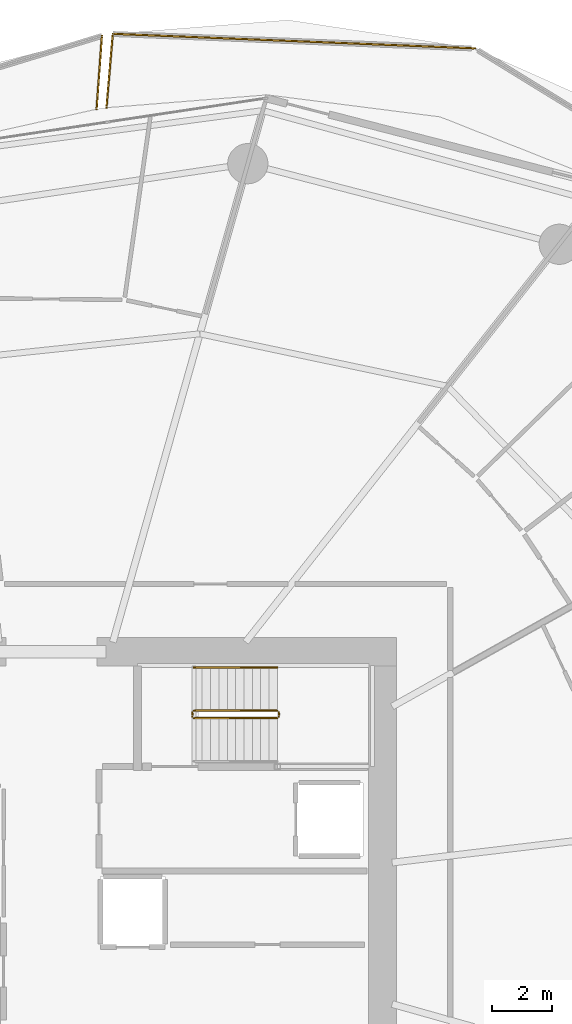
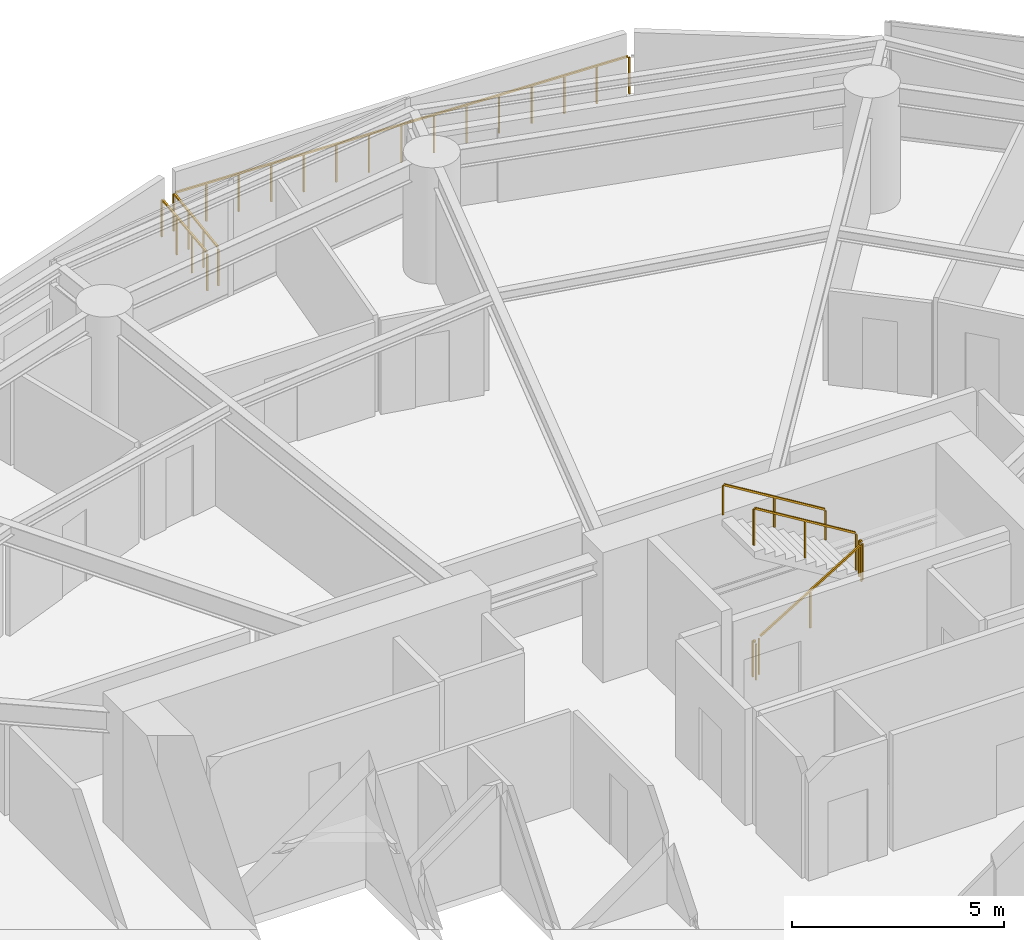
# One storey, part 30 of 31: 8 railings.
"""IFC4 building model written with IfcOpenShell, lengths in metres."""

from ifc_helpers import new_model, si_unit, direction, frame, origin, origin_2d, place, context, subcontext, project, spatial, rectangle, extrude, material, type_object, element, save


model = new_model("IFC4")

# Units and contexts
model_context = context("Model", 3, precision=1e-05, world=origin(), true_north=direction((0.0, 1.0)))
body_context = subcontext(model_context, "Body", "Model", "MODEL_VIEW")
ifc_project = project(units=[si_unit("LENGTHUNIT", "METRE"), si_unit("AREAUNIT", "SQUARE_METRE"), si_unit("VOLUMEUNIT", "CUBIC_METRE"), si_unit("PLANEANGLEUNIT", "RADIAN"), si_unit("MASSUNIT", "GRAM", prefix="KILO")], contexts=[model_context])

# Site, building, storey
site_placement = place(None, origin())
site = spatial("IfcSite", under=ifc_project, at=site_placement, CompositionType="ELEMENT")
building_placement = place(site_placement, origin())
building = spatial("IfcBuilding", under=site, at=building_placement, Name="Kazma Halo Residences", CompositionType="ELEMENT")
storey_placement = place(building_placement, frame((0.0, 0.0, 67.64990234375)))
storey = spatial("IfcBuildingStorey", under=building, at=storey_placement, Name="L16", CompositionType="ELEMENT", Elevation=67.64990234375)

# Railings
ifc_material_1 = material(Name="Aluminium AW-6063 T6 Brushed Cap Rail", Category="aluminium")
railing_type_1 = type_object("IfcRailingType", Name="RLG-BAL-CAP-1120", PredefinedType="BALUSTRADE", material=ifc_material_1)
railing_1_placement = place(storey_placement, frame((62.63232421875, 70.717529296875, 0.0)))
element("IfcRailing", 1, at=railing_1_placement, inside=storey, type_object=railing_type_1, Name="L16 NE wave balcony guard 3", PredefinedType="BALUSTRADE", context=body_context, shape_type="SweptSolid", body=[
    extrude(rectangle(XDim=0.050048828125, YDim=0.050048828125, at=origin_2d()), frame((-0.04248046875, 0.001708984375, 1.09521484375), z_axis=(-0.999194018409, 0.040141170593, 0.0), x_axis=(-0.040141170593, -0.999194018409, 0.0)), (0.0, 0.0, 1.0), 12.0791015625),
    extrude(rectangle(XDim=0.0400390625, YDim=0.0400390625, at=origin_2d()), origin(), (0.0, 0.0, 1.0), 1.05810546875),
    extrude(rectangle(XDim=0.0400390625, YDim=0.0400390625, at=origin_2d()), frame((-0.8681640625, 0.034912109375, 0.0)), (0.0, 0.0, 1.0), 1.05810546875),
    extrude(rectangle(XDim=0.0400390625, YDim=0.0400390625, at=origin_2d()), frame((-1.736328125, 0.06982421875, 0.0)), (0.0, 0.0, 1.0), 1.05810546875),
    extrude(rectangle(XDim=0.0400390625, YDim=0.0400390625, at=origin_2d()), frame((-2.6044921875, 0.104736328125, 0.0)), (0.0, 0.0, 1.0), 1.05810546875),
    extrude(rectangle(XDim=0.0400390625, YDim=0.0400390625, at=origin_2d()), frame((-3.47265625, 0.139404296875, 0.0)), (0.0, 0.0, 1.0), 1.05810546875),
    extrude(rectangle(XDim=0.0400390625, YDim=0.0400390625, at=origin_2d()), frame((-4.3408203125, 0.17431640625, 0.0)), (0.0, 0.0, 1.0), 1.05810546875),
    extrude(rectangle(XDim=0.0400390625, YDim=0.0400390625, at=origin_2d()), frame((-5.208984375, 0.209228515625, 0.0)), (0.0, 0.0, 1.0), 1.05810546875),
    extrude(rectangle(XDim=0.0400390625, YDim=0.0400390625, at=origin_2d()), frame((-6.0771484375, 0.244140625, 0.0)), (0.0, 0.0, 1.0), 1.05810546875),
    extrude(rectangle(XDim=0.0400390625, YDim=0.0400390625, at=origin_2d()), frame((-6.9453125, 0.279052734375, 0.0)), (0.0, 0.0, 1.0), 1.05810546875),
    extrude(rectangle(XDim=0.0400390625, YDim=0.0400390625, at=origin_2d()), frame((-7.8134765625, 0.31396484375, 0.0)), (0.0, 0.0, 1.0), 1.05810546875),
    extrude(rectangle(XDim=0.0400390625, YDim=0.0400390625, at=origin_2d()), frame((-8.681640625, 0.348876953125, 0.0)), (0.0, 0.0, 1.0), 1.05810546875),
    extrude(rectangle(XDim=0.0400390625, YDim=0.0400390625, at=origin_2d()), frame((-9.5498046875, 0.383544921875, 0.0)), (0.0, 0.0, 1.0), 1.05810546875),
    extrude(rectangle(XDim=0.0400390625, YDim=0.0400390625, at=origin_2d()), frame((-10.41796875, 0.41845703125, 0.0)), (0.0, 0.0, 1.0), 1.05810546875),
    extrude(rectangle(XDim=0.0400390625, YDim=0.0400390625, at=origin_2d()), frame((-11.2861328125, 0.453369140625, 0.0)), (0.0, 0.0, 1.0), 1.05810546875),
    extrude(rectangle(XDim=0.0400390625, YDim=0.0400390625, at=origin_2d()), frame((-12.154296875, 0.48828125, 0.0)), (0.0, 0.0, 1.0), 1.05810546875),
])
railing_2_placement = place(storey_placement, frame((50.47802734375, 71.205810546875, 0.0)))
element("IfcRailing", 2, at=railing_2_placement, inside=storey, type_object=railing_type_1, Name="L16 NE wave balcony guard 4", PredefinedType="BALUSTRADE", context=body_context, shape_type="SweptSolid", body=[
    extrude(rectangle(XDim=0.050048828125, YDim=0.050048828125, at=origin_2d()), frame((-0.003662109375, -0.04248046875, 1.09521484375), z_axis=(-0.084492676615, -0.99642410027, 0.0), x_axis=(0.99642410027, -0.084492676615, 0.0)), (0.0, 0.0, 1.0), 2.39990234375),
    extrude(rectangle(XDim=0.0400390625, YDim=0.0400390625, at=origin_2d()), origin(), (0.0, 0.0, 1.0), 1.05810546875),
    extrude(rectangle(XDim=0.0400390625, YDim=0.0400390625, at=origin_2d()), frame((-0.070068359375, -0.825439453125, 0.0)), (0.0, 0.0, 1.0), 1.05810546875),
    extrude(rectangle(XDim=0.0400390625, YDim=0.0400390625, at=origin_2d()), frame((-0.139892578125, -1.650634765625, 0.0)), (0.0, 0.0, 1.0), 1.05810546875),
    extrude(rectangle(XDim=0.0400390625, YDim=0.0400390625, at=origin_2d()), frame((-0.2099609375, -2.47607421875, 0.0)), (0.0, 0.0, 1.0), 1.05810546875),
])
railing_3_placement = place(storey_placement, frame((49.935791015625, 68.679931640625, 0.0)))
element("IfcRailing", 3, at=railing_3_placement, inside=storey, type_object=railing_type_1, Name="L16 NNW wave balcony guard 1", PredefinedType="BALUSTRADE", context=body_context, shape_type="SweptSolid", body=[
    extrude(rectangle(XDim=0.050048828125, YDim=0.050048828125, at=origin_2d()), frame((0.003173828125, 0.04248046875, 1.09521484375), z_axis=(0.072358458042, 0.997378691145, 0.0), x_axis=(-0.997378691145, 0.072358458042, 0.0)), (0.0, 0.0, 1.0), 2.38134765625),
    extrude(rectangle(XDim=0.0400390625, YDim=0.0400390625, at=origin_2d()), origin(), (0.0, 0.0, 1.0), 1.05810546875),
    extrude(rectangle(XDim=0.0400390625, YDim=0.0400390625, at=origin_2d()), frame((0.0595703125, 0.820068359375, 0.0)), (0.0, 0.0, 1.0), 1.05810546875),
    extrude(rectangle(XDim=0.0400390625, YDim=0.0400390625, at=origin_2d()), frame((0.118896484375, 1.639892578125, 0.0)), (0.0, 0.0, 1.0), 1.05810546875),
    extrude(rectangle(XDim=0.0400390625, YDim=0.0400390625, at=origin_2d()), frame((0.178466796875, 2.4599609375, 0.0)), (0.0, 0.0, 1.0), 1.05810546875),
])
ifc_material_2 = material(Name="Painted Steel S355", Category="steel")
railing_type_2 = type_object("IfcRailingType", Name="RLG-STAIR-GRD-1100", PredefinedType="GUARDRAIL", material=ifc_material_2)
railing_4_placement = place(storey_placement, frame((53.199951171875, 48.25, 0.170654296875)))
element("IfcRailing", 4, at=railing_4_placement, inside=storey, type_object=railing_type_2, Name="L16 ST-02 stair guard 1", PredefinedType="GUARDRAIL", context=body_context, shape_type="SweptSolid", body=[
    extrude(rectangle(XDim=0.050048828125, YDim=0.050048828125, at=origin_2d()), frame((0.036376953125, 0.0, 1.09716796875), z_axis=(0.854202870247, 0.0, 0.519939858505), x_axis=(0.0, 1.0, 0.0)), (0.0, 0.0, 1.0), 3.19287109375),
    extrude(rectangle(XDim=0.0400390625, YDim=0.0400390625, at=origin_2d()), origin(), (0.0, 0.0, 1.0), 1.0380859375),
    extrude(rectangle(XDim=0.0400390625, YDim=0.0400390625, at=origin_2d()), frame((1.39990234375, 0.0, 0.85205078125)), (0.0, 0.0, 1.0), 1.0380859375),
    extrude(rectangle(XDim=0.0400390625, YDim=0.0400390625, at=origin_2d()), frame((2.800048828125, 0.0, 1.704345703125)), (0.0, 0.0, 1.0), 1.0380859375),
])
railing_5_placement = place(storey_placement, frame((56.050048828125, 48.300048828125, 1.875)))
element("IfcRailing", 5, at=railing_5_placement, inside=storey, type_object=railing_type_2, Name="L16 ST-02 stair guard 2", PredefinedType="GUARDRAIL", context=body_context, shape_type="SweptSolid", body=[
    extrude(rectangle(XDim=0.050048828125, YDim=0.050048828125, at=origin_2d()), frame((0.0, 0.04248046875, 1.0751953125), z_axis=(0.0, 1.0, 0.0), x_axis=(-1.0, 0.0, 0.0)), (0.0, 0.0, 1.0), 0.06494140625),
    extrude(rectangle(XDim=0.0400390625, YDim=0.0400390625, at=origin_2d()), origin(), (0.0, 0.0, 1.0), 1.0380859375),
    extrude(rectangle(XDim=0.0400390625, YDim=0.0400390625, at=origin_2d()), frame((0.0, 0.14990234375, 0.0)), (0.0, 0.0, 1.0), 1.0380859375),
])
railing_6_placement = place(storey_placement, frame((56.0, 48.5, 2.045654296875)))
element("IfcRailing", 6, at=railing_6_placement, inside=storey, type_object=railing_type_2, Name="L16 ST-02 stair guard 3", PredefinedType="GUARDRAIL", context=body_context, shape_type="SweptSolid", body=[
    extrude(rectangle(XDim=0.050048828125, YDim=0.050048828125, at=origin_2d()), frame((-0.036376953125, 0.0, 1.09716796875), z_axis=(-0.854202870247, 0.0, 0.519939858505), x_axis=(0.0, -1.0, 0.0)), (0.0, 0.0, 1.0), 3.19287109375),
    extrude(rectangle(XDim=0.0400390625, YDim=0.0400390625, at=origin_2d()), origin(), (0.0, 0.0, 1.0), 1.0380859375),
    extrude(rectangle(XDim=0.0400390625, YDim=0.0400390625, at=origin_2d()), frame((-1.39990234375, 0.0, 0.85205078125)), (0.0, 0.0, 1.0), 1.0380859375),
    extrude(rectangle(XDim=0.0400390625, YDim=0.0400390625, at=origin_2d()), frame((-2.800048828125, 0.0, 1.704345703125)), (0.0, 0.0, 1.0), 1.0380859375),
])
railing_7_placement = place(storey_placement, frame((53.14990234375, 48.300048828125, 0.0)))
element("IfcRailing", 7, at=railing_7_placement, inside=storey, type_object=railing_type_2, Name="L16 ST-02 stair guard 4", PredefinedType="GUARDRAIL", context=body_context, shape_type="SweptSolid", body=[
    extrude(rectangle(XDim=0.050048828125, YDim=0.050048828125, at=origin_2d()), frame((0.0, 0.04248046875, 1.0751953125), z_axis=(0.0, 1.0, 0.0), x_axis=(-1.0, 0.0, 0.0)), (0.0, 0.0, 1.0), 0.06494140625),
    extrude(rectangle(XDim=0.0400390625, YDim=0.0400390625, at=origin_2d()), origin(), (0.0, 0.0, 1.0), 1.0380859375),
    extrude(rectangle(XDim=0.0400390625, YDim=0.0400390625, at=origin_2d()), frame((0.0, 0.14990234375, 0.0)), (0.0, 0.0, 1.0), 1.0380859375),
])
ifc_material_3 = material(Name="Brushed Stainless Steel", Category="steel")
railing_type_3 = type_object("IfcRailingType", Name="RLG-STAIR-HND-900", PredefinedType="HANDRAIL", material=ifc_material_3)
railing_8_placement = place(storey_placement, frame((56.0, 49.949951171875, 2.045654296875)))
element("IfcRailing", 8, at=railing_8_placement, inside=storey, type_object=railing_type_3, Name="L16 ST-02 stair handrail 2", PredefinedType="HANDRAIL", context=body_context, shape_type="SweptSolid", body=[
    extrude(rectangle(XDim=0.050048828125, YDim=0.050048828125, at=origin_2d()), frame((-0.036376953125, 0.0, 0.89697265625), z_axis=(-0.854202870247, 0.0, 0.519939858505), x_axis=(0.0, -1.0, 0.0)), (0.0, 0.0, 1.0), 3.19287109375),
    extrude(rectangle(XDim=0.0400390625, YDim=0.0400390625, at=origin_2d()), origin(), (0.0, 0.0, 1.0), 0.837890625),
    extrude(rectangle(XDim=0.0400390625, YDim=0.0400390625, at=origin_2d()), frame((-1.39990234375, 0.0, 0.85205078125)), (0.0, 0.0, 1.0), 0.837890625),
    extrude(rectangle(XDim=0.0400390625, YDim=0.0400390625, at=origin_2d()), frame((-2.800048828125, 0.0, 1.704345703125)), (0.0, 0.0, 1.0), 0.837890625),
])

save(model, "model.ifc")
